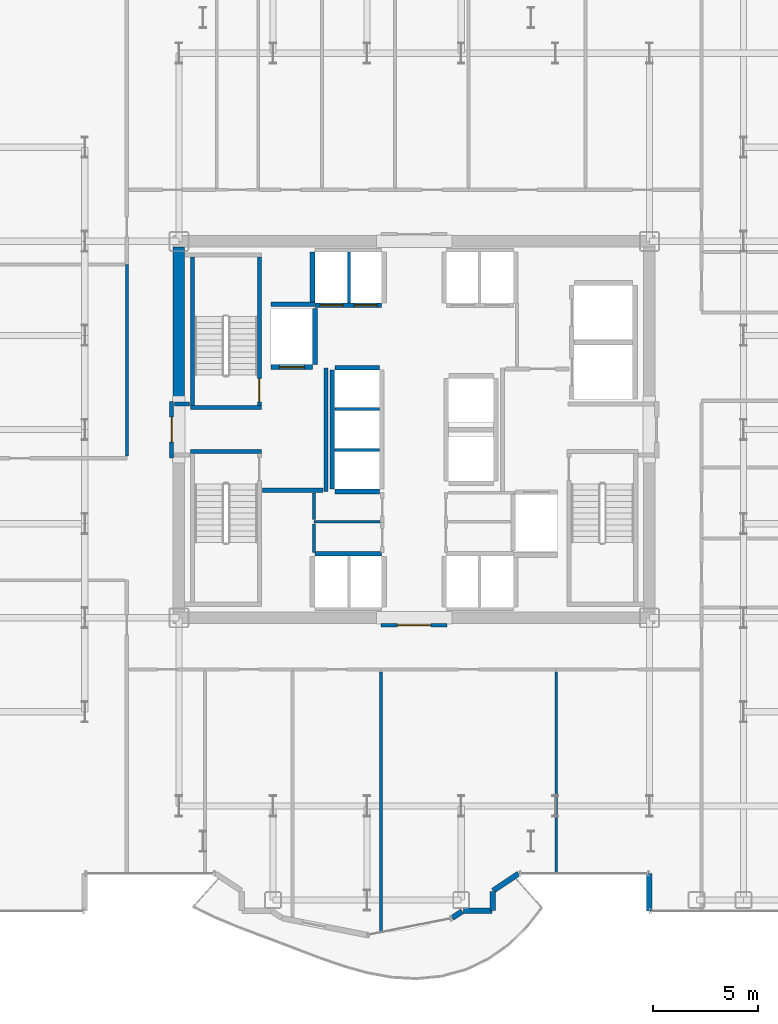
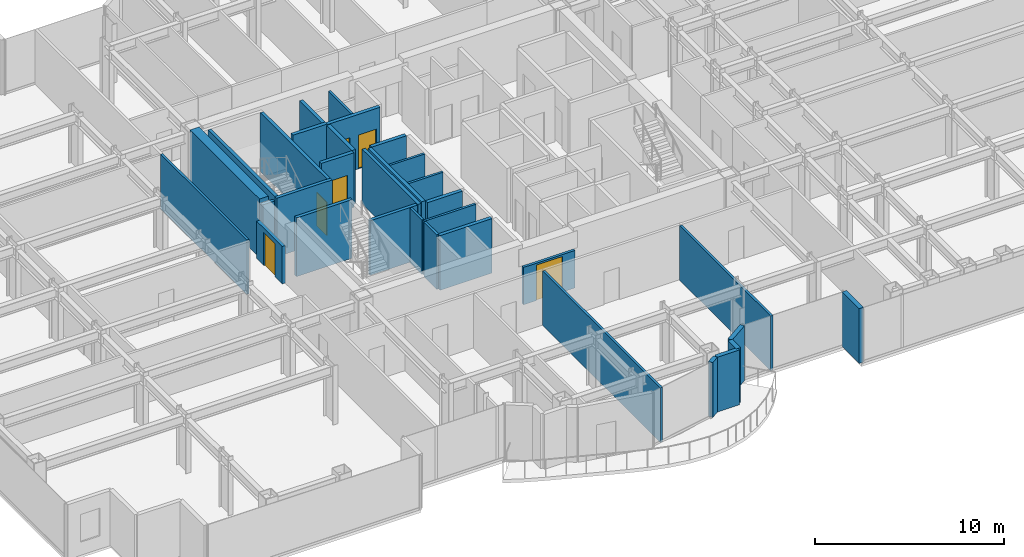
# One storey, part 23 of 29: 33 walls, 6 doors, 6 openings.
"""IFC4 building model written with IfcOpenShell, lengths in metres."""

from ifc_helpers import new_model, si_unit, direction, frame, frame_2d, origin, place, context, subcontext, project, spatial, rectangle, extrude, source, transform, mapped, material, layer, layer_set, type_object, element, fill, save


model = new_model("IFC4")

# Units and contexts
model_context = context("Model", 3, precision=1e-05, world=origin(), true_north=direction((0.0, 1.0)))
body_context = subcontext(model_context, "Body", "Model", "MODEL_VIEW")
ifc_project = project(units=[si_unit("LENGTHUNIT", "METRE"), si_unit("AREAUNIT", "SQUARE_METRE"), si_unit("VOLUMEUNIT", "CUBIC_METRE"), si_unit("PLANEANGLEUNIT", "RADIAN"), si_unit("MASSUNIT", "GRAM", prefix="KILO")], contexts=[model_context])

# Site, building, storey
site_placement = place(None, origin())
site = spatial("IfcSite", under=ifc_project, at=site_placement, CompositionType="ELEMENT")
building_placement = place(site_placement, origin())
building = spatial("IfcBuilding", under=site, at=building_placement, Name="Nefas-Gora Pilgrimage Tower", CompositionType="ELEMENT")
storey_placement = place(building_placement, frame((0.0, 0.0, 136.39990234375)))
storey = spatial("IfcBuildingStorey", under=building, at=storey_placement, Name="L33", CompositionType="ELEMENT", Elevation=136.39990234375)

# Walls
ifc_material_1 = material(Name="Concrete C60/75", Category="concrete")
ifc_layer_1 = layer(ifc_material_1, 0.550048828125)
ifc_layer_set_1 = layer_set([ifc_layer_1], Name="Concrete C60/75")
wall_type_1 = type_object("IfcWallType", Name="SW-CORE-550", PredefinedType="SHEAR", material=ifc_layer_set_1)
shared_shape_1 = source(origin(), body_context, "Body", "SweptSolid", [
    extrude(rectangle(XDim=7.375, YDim=0.550048828125, at=frame_2d((3.6875, 0.0))), origin(), (0.0, 0.0, 1.0), 3.800048828125),
])
wall_1_placement = place(storey_placement, frame((-11.25, 1.35009765625, 0.0), z_axis=(0.0, 0.0, 1.0), x_axis=(0.0, 1.0, 0.0)))
element("IfcWall", 1, at=wall_1_placement, inside=storey, type_object=wall_type_1, Name="L33 Core Shear Wall W-North", PredefinedType="SHEAR", context=body_context, shape_type="MappedRepresentation", body=[
    mapped(shared_shape_1, transform((0.0, 0.0, 0.0), x_axis=(1.0, 0.0, 0.0), y_axis=(0.0, 1.0, 0.0), z_axis=(0.0, 0.0, 1.0), scale=1.0)),
])
ifc_material_2 = material(Name="Precast concrete C40/50", Category="concrete")
ifc_layer_2 = layer(ifc_material_2, 0.260009765625)
ifc_layer_set_2 = layer_set([ifc_layer_2], Name="Precast concrete C40/50")
wall_type_2 = type_object("IfcWallType", Name="EW-PORTAL-260", PredefinedType="SOLIDWALL", material=ifc_layer_set_2)
shared_shape_2 = source(origin(), body_context, "Body", "SweptSolid", [
    extrude(rectangle(XDim=1.800048828125, YDim=0.260009765625, at=frame_2d((0.89990234375, 0.0))), origin(), (0.0, 0.0, 1.0), 3.550048828125),
])
wall_2_placement = place(storey_placement, frame((11.25, -21.219970703125, 0.0), z_axis=(0.0, 0.0, 1.0), x_axis=(0.0, -1.0, 0.0)))
element("IfcWall", 2, at=wall_2_placement, inside=storey, type_object=wall_type_2, Name="L33 Lobe Shoulder Precast Spandrel Pier 5", PredefinedType="SOLIDWALL", context=body_context, shape_type="MappedRepresentation", body=[
    mapped(shared_shape_2, transform((0.0, 0.0, 0.0), x_axis=(1.0, 0.0, 0.0), y_axis=(0.0, 1.0, 0.0), z_axis=(0.0, 0.0, 1.0), scale=1.0)),
])
shared_shape_3 = source(origin(), body_context, "Body", "SweptSolid", [
    extrude(rectangle(XDim=1.468994140625, YDim=0.260009765625, at=frame_2d((0.734375, 0.0))), origin(), (0.0, 0.0, 1.0), 3.550048828125),
])
wall_3_placement = place(storey_placement, frame((3.773193359375, -22.0517578125, 0.0), z_axis=(0.0, 0.0, 1.0), x_axis=(0.831461760506, 0.555581983884, 0.0)))
element("IfcWall", 3, at=wall_3_placement, inside=storey, type_object=wall_type_2, Name="L33 Lobe Shoulder Precast Spandrel Pier 42", PredefinedType="SOLIDWALL", context=body_context, shape_type="MappedRepresentation", body=[
    mapped(shared_shape_3, transform((0.0, 0.0, 0.0), x_axis=(1.0, 0.0, 0.0), y_axis=(0.0, 1.0, 0.0), z_axis=(0.0, 0.0, 1.0), scale=1.0)),
])
shared_shape_4 = source(origin(), body_context, "Body", "SweptSolid", [
    extrude(rectangle(XDim=0.896728515625, YDim=0.260009765625, at=frame_2d((0.4482421875, 0.0))), origin(), (0.0, 0.0, 1.0), 3.550048828125),
])
wall_4_placement = place(storey_placement, frame((3.75, -22.991943359375, 0.0), z_axis=(0.0, 0.0, 1.0), x_axis=(0.0, 1.0, 0.0)))
element("IfcWall", 4, at=wall_4_placement, inside=storey, type_object=wall_type_2, Name="L33 Lobe Shoulder Precast Spandrel Pier 41", PredefinedType="SOLIDWALL", context=body_context, shape_type="MappedRepresentation", body=[
    mapped(shared_shape_4, transform((0.0, 0.0, 0.0), x_axis=(1.0, 0.0, 0.0), y_axis=(0.0, 1.0, 0.0), z_axis=(0.0, 0.0, 1.0), scale=1.0)),
])
shared_shape_5 = source(origin(), body_context, "Body", "SweptSolid", [
    extrude(rectangle(XDim=1.369873046875, YDim=0.260009765625, at=frame_2d((0.68505859375, 0.0))), origin(), (0.0, 0.0, 1.0), 3.550048828125),
])
wall_5_placement = place(storey_placement, frame((2.35205078125, -23.02001953125, 0.0), z_axis=(0.0, 0.0, 1.0), x_axis=(1.0, 0.0, 0.0)))
element("IfcWall", 5, at=wall_5_placement, inside=storey, type_object=wall_type_2, Name="L33 Lobe Shoulder Precast Spandrel Pier 40", PredefinedType="SOLIDWALL", context=body_context, shape_type="MappedRepresentation", body=[
    mapped(shared_shape_5, transform((0.0, 0.0, 0.0), x_axis=(1.0, 0.0, 0.0), y_axis=(0.0, 1.0, 0.0), z_axis=(0.0, 0.0, 1.0), scale=1.0)),
])
shared_shape_6 = source(origin(), body_context, "Body", "SweptSolid", [
    extrude(rectangle(XDim=0.5654296875, YDim=0.260009765625, at=frame_2d((0.28271484375, 0.0))), origin(), (0.0, 0.0, 1.0), 3.550048828125),
])
wall_6_placement = place(storey_placement, frame((1.83056640625, -23.349609375, 0.0), z_axis=(0.0, 0.0, 1.0), x_axis=(0.831651492666, 0.555297933317, 0.0)))
element("IfcWall", 6, at=wall_6_placement, inside=storey, type_object=wall_type_2, Name="L33 Lobe Shoulder Precast Spandrel Pier 39", PredefinedType="SOLIDWALL", context=body_context, shape_type="MappedRepresentation", body=[
    mapped(shared_shape_6, transform((0.0, 0.0, 0.0), x_axis=(1.0, 0.0, 0.0), y_axis=(0.0, 1.0, 0.0), z_axis=(0.0, 0.0, 1.0), scale=1.0)),
])
ifc_material_3 = material(Name="Concrete C45/55", Category="concrete")
ifc_layer_3 = layer(ifc_material_3, 0.199951171875)
ifc_layer_set_3 = layer_set([ifc_layer_3], Name="Concrete C45/55")
wall_type_3 = type_object("IfcWallType", Name="IW-STAIR-200", PredefinedType="SOLIDWALL", material=ifc_layer_set_3)
shared_shape_7 = source(origin(), body_context, "Body", "SweptSolid", [
    extrude(rectangle(XDim=3.39990234375, YDim=0.199951171875, at=frame_2d((1.699951171875, 0.0))), origin(), (0.0, 0.0, 1.0), 3.800048828125),
])
for number, where, z_axis, x_axis, name in (
    (7, (-7.300048828125, 1.050048828125, 0.0), (0.0, 0.0, 1.0), (-1.0, 0.0, 0.0), "L33 Stairwell Shear Wall ST-01-near"),
    (8, (-10.699951171875, -1.050048828125, 0.0), (0.0, 0.0, 1.0), (1.0, 0.0, 0.0), "L33 Stairwell Shear Wall ST-03-near"),
):
    element("IfcWall", number, at=place(storey_placement, frame(where, z_axis=z_axis, x_axis=x_axis)), inside=storey, type_object=wall_type_3, Name=name, PredefinedType="SOLIDWALL", context=body_context, shape_type="MappedRepresentation", body=[
        mapped(shared_shape_7, transform((0.0, 0.0, 0.0), x_axis=(1.0, 0.0, 0.0), y_axis=(0.0, 1.0, 0.0), z_axis=(0.0, 0.0, 1.0), scale=1.0)),
    ])

# Wall, opening, door
shared_shape_8 = source(origin(), body_context, "Body", "SweptSolid", [
    extrude(rectangle(XDim=7.10009765625, YDim=0.199951171875, at=frame_2d((3.550048828125, 0.0))), origin(), (0.0, 0.0, 1.0), 3.800048828125),
])
wall_7_placement = place(storey_placement, frame((-7.39990234375, 1.14990234375, 0.0), z_axis=(0.0, 0.0, 1.0), x_axis=(0.0, 1.0, 0.0)))
wall_7 = element("IfcWall", 9, at=wall_7_placement, inside=storey, type_object=wall_type_3, Name="L33 Stairwell Shear Wall ST-01-left", PredefinedType="SOLIDWALL", context=body_context, shape_type="MappedRepresentation", body=[
    mapped(shared_shape_8, transform((0.0, 0.0, 0.0), x_axis=(1.0, 0.0, 0.0), y_axis=(0.0, 1.0, 0.0), z_axis=(0.0, 0.0, 1.0), scale=1.0)),
])
opening_1_placement = place(wall_7_placement, frame((0.179931640625, 0.0, 0.0)))
opening_1 = element("IfcOpeningElement", 10, at=opening_1_placement, cuts=wall_7, Name="Opening ID-ST1", PredefinedType="OPENING", context=body_context, shape_type="SweptSolid", body=[
    extrude(rectangle(XDim=1.10009765625, YDim=2.14990234375, at=frame_2d((0.550048828125, 1.074951171875))), frame((0.0, 0.10986328125, 0.0), z_axis=(0.0, -1.0, 0.0), x_axis=(1.0, 0.0, 0.0)), (0.0, 0.0, 1.0), 0.219970703125),
])
ifc_material_4 = material(Name="Painted galvanised steel fire stair door", Category="steel")
door_type_1 = type_object("IfcDoorType", Name="DR-INT-STAIR-1100", OperationType="NOTDEFINED", PredefinedType="DOOR", material=ifc_material_4)
shared_shape_9 = source(origin(), body_context, "Body", "SweptSolid", [
    extrude(rectangle(XDim=1.10009765625, YDim=2.14990234375, at=frame_2d((0.550048828125, 1.074951171875))), frame((0.0, 0.02490234375, 0.0), z_axis=(0.0, -1.0, 0.0), x_axis=(1.0, 0.0, 0.0)), (0.0, 0.0, 1.0), 0.050048828125),
])
door_1_placement = place(opening_1_placement, origin())
door_1 = element("IfcDoor", 11, at=door_1_placement, inside=storey, type_object=door_type_1, Name="L33 Protected Exit Stair Door ST-01", OperationType="SINGLE_SWING_LEFT", OverallHeight=2.14990234375, OverallWidth=1.10009765625, PredefinedType="DOOR", context=body_context, shape_type="MappedRepresentation", body=[
    mapped(shared_shape_9, transform((0.0, 0.0, 0.0), x_axis=(1.0, 0.0, 0.0), y_axis=(0.0, 1.0, 0.0), z_axis=(0.0, 0.0, 1.0), scale=1.0)),
])
fill(opening_1, door_1)

# Wall
wall_8_placement = place(storey_placement, frame((-10.60009765625, 1.14990234375, 0.0), z_axis=(0.0, 0.0, 1.0), x_axis=(0.0, 1.0, 0.0)))
element("IfcWall", 12, at=wall_8_placement, inside=storey, type_object=wall_type_3, Name="L33 Stairwell Shear Wall ST-01-right", PredefinedType="SOLIDWALL", context=body_context, shape_type="MappedRepresentation", body=[
    mapped(shared_shape_8, transform((0.0, 0.0, 0.0), x_axis=(1.0, 0.0, 0.0), y_axis=(0.0, 1.0, 0.0), z_axis=(0.0, 0.0, 1.0), scale=1.0)),
])

# Wall, opening, door
ifc_material_5 = material(Name="Concrete C40/50", Category="concrete")
ifc_layer_4 = layer(ifc_material_5, 0.219970703125)
ifc_layer_set_4 = layer_set([ifc_layer_4], Name="Concrete C40/50")
wall_type_4 = type_object("IfcWallType", Name="IW-SHAFT-220", PredefinedType="SOLIDWALL", material=ifc_layer_set_4)
shared_shape_10 = source(origin(), body_context, "Body", "SweptSolid", [
    extrude(rectangle(XDim=2.0, YDim=0.219970703125, at=frame_2d((1.0, 0.0))), origin(), (0.0, 0.0, 1.0), 3.53515625),
])
wall_9_placement = place(storey_placement, frame((-6.85009765625, 2.989990234375, 0.0), z_axis=(0.0, 0.0, 1.0), x_axis=(1.0, 0.0, 0.0)))
wall_9 = element("IfcWall", 13, at=wall_9_placement, inside=storey, type_object=wall_type_4, Name="L33 Hoistway Wall FFL-01-S", PredefinedType="SOLIDWALL", context=body_context, shape_type="MappedRepresentation", body=[
    mapped(shared_shape_10, transform((0.0, 0.0, 0.0), x_axis=(1.0, 0.0, 0.0), y_axis=(0.0, 1.0, 0.0), z_axis=(0.0, 0.0, 1.0), scale=1.0)),
])
opening_2_placement = place(wall_9_placement, frame((0.39990234375, 0.0, 0.0)))
opening_2 = element("IfcOpeningElement", 14, at=opening_2_placement, cuts=wall_9, Name="Opening LD-FF", PredefinedType="OPENING", context=body_context, shape_type="SweptSolid", body=[
    extrude(rectangle(XDim=1.199951171875, YDim=2.199951171875, at=frame_2d((0.60009765625, 1.10009765625))), frame((0.0, 0.119873046875, 0.0), z_axis=(0.0, -1.0, 0.0), x_axis=(1.0, 0.0, 0.0)), (0.0, 0.0, 1.0), 0.239990234375),
])
ifc_material_6 = material(Name="Fire-service sliding lift landing door")
door_type_2 = type_object("IfcDoorType", Name="DR-LIFT-FSAE-1200", OperationType="SLIDING_TO_LEFT", PredefinedType="DOOR", material=ifc_material_6)
shared_shape_11 = source(origin(), body_context, "Body", "SweptSolid", [
    extrude(rectangle(XDim=1.199951171875, YDim=2.199951171875, at=frame_2d((0.60009765625, 1.10009765625))), frame((0.0, 0.02490234375, 0.0), z_axis=(0.0, -1.0, 0.0), x_axis=(1.0, 0.0, 0.0)), (0.0, 0.0, 1.0), 0.050048828125),
])
door_2_placement = place(opening_2_placement, origin())
door_2 = element("IfcDoor", 15, at=door_2_placement, inside=storey, type_object=door_type_2, Name="L33 Sliding Lift Landing Door FFL-01", OperationType="SLIDING_TO_LEFT", OverallHeight=2.199951171875, OverallWidth=1.199951171875, PredefinedType="DOOR", context=body_context, shape_type="MappedRepresentation", body=[
    mapped(shared_shape_11, transform((0.0, 0.0, 0.0), x_axis=(1.0, 0.0, 0.0), y_axis=(0.0, 1.0, 0.0), z_axis=(0.0, 0.0, 1.0), scale=1.0)),
])
fill(opening_2, door_2)

# Wall
shared_shape_12 = source(origin(), body_context, "Body", "SweptSolid", [
    extrude(rectangle(XDim=2.679931640625, YDim=0.219970703125, at=frame_2d((1.33984375, 0.0))), origin(), (0.0, 0.0, 1.0), 3.53515625),
])
wall_10_placement = place(storey_placement, frame((-4.739990234375, 3.110107421875, 0.0), z_axis=(0.0, 0.0, 1.0), x_axis=(0.0, 1.0, 0.0)))
element("IfcWall", 16, at=wall_10_placement, inside=storey, type_object=wall_type_4, Name="L33 Hoistway Wall FFL-01-E", PredefinedType="SOLIDWALL", context=body_context, shape_type="MappedRepresentation", body=[
    mapped(shared_shape_12, transform((0.0, 0.0, 0.0), x_axis=(1.0, 0.0, 0.0), y_axis=(0.0, 1.0, 0.0), z_axis=(0.0, 0.0, 1.0), scale=1.0)),
])

# Wall, openings, doors
shared_shape_13 = source(origin(), body_context, "Body", "SweptSolid", [
    extrude(rectangle(XDim=3.199951171875, YDim=0.219970703125, at=frame_2d((1.60009765625, 0.0))), origin(), (0.0, 0.0, 1.0), 3.53515625),
])
wall_11_placement = place(storey_placement, frame((-4.75, 5.93994140625, 0.0), z_axis=(0.0, 0.0, 1.0), x_axis=(1.0, 0.0, 0.0)))
wall_11 = element("IfcWall", 17, at=wall_11_placement, inside=storey, type_object=wall_type_4, Name="L33 Hoistway Wall PL1-W-S", PredefinedType="SOLIDWALL", context=body_context, shape_type="MappedRepresentation", body=[
    mapped(shared_shape_13, transform((0.0, 0.0, 0.0), x_axis=(1.0, 0.0, 0.0), y_axis=(0.0, 1.0, 0.0), z_axis=(0.0, 0.0, 1.0), scale=1.0)),
])
opening_3_placement = place(wall_11_placement, frame((0.25, 0.0, 0.0)))
opening_3 = element("IfcOpeningElement", 18, at=opening_3_placement, cuts=wall_11, Name="Opening LD-01", PredefinedType="OPENING", context=body_context, shape_type="SweptSolid", body=[
    extrude(rectangle(XDim=1.10009765625, YDim=2.199951171875, at=frame_2d((0.550048828125, 1.10009765625))), frame((0.0, 0.119873046875, 0.0), z_axis=(0.0, -1.0, 0.0), x_axis=(1.0, 0.0, 0.0)), (0.0, 0.0, 1.0), 0.239990234375),
])
opening_4_placement = place(wall_11_placement, frame((1.875, 0.0, 0.0)))
opening_4 = element("IfcOpeningElement", 19, at=opening_4_placement, cuts=wall_11, Name="Opening LD-01", PredefinedType="OPENING", context=body_context, shape_type="SweptSolid", body=[
    extrude(rectangle(XDim=1.10009765625, YDim=2.199951171875, at=frame_2d((0.550048828125, 1.10009765625))), frame((0.0, 0.119873046875, 0.0), z_axis=(0.0, -1.0, 0.0), x_axis=(1.0, 0.0, 0.0)), (0.0, 0.0, 1.0), 0.239990234375),
])
ifc_material_7 = material(Name="Brushed stainless sliding lift landing door")
door_type_3 = type_object("IfcDoorType", Name="DR-LIFT-PASS-1100", OperationType="DOUBLE_DOOR_SLIDING", PredefinedType="DOOR", material=ifc_material_7)
shared_shape_14 = source(origin(), body_context, "Body", "SweptSolid", [
    extrude(rectangle(XDim=1.10009765625, YDim=2.199951171875, at=frame_2d((0.550048828125, 1.10009765625))), frame((0.0, 0.02490234375, 0.0), z_axis=(0.0, -1.0, 0.0), x_axis=(1.0, 0.0, 0.0)), (0.0, 0.0, 1.0), 0.050048828125),
])
door_3_placement = place(opening_3_placement, origin())
door_3 = element("IfcDoor", 20, at=door_3_placement, inside=storey, type_object=door_type_3, Name="L33 Sliding Lift Landing Door PL1-01", OperationType="DOUBLE_DOOR_SLIDING", OverallHeight=2.199951171875, OverallWidth=1.10009765625, PredefinedType="DOOR", context=body_context, shape_type="MappedRepresentation", body=[
    mapped(shared_shape_14, transform((0.0, 0.0, 0.0), x_axis=(1.0, 0.0, 0.0), y_axis=(0.0, 1.0, 0.0), z_axis=(0.0, 0.0, 1.0), scale=1.0)),
])
fill(opening_3, door_3)
door_4_placement = place(opening_4_placement, origin())
door_4 = element("IfcDoor", 21, at=door_4_placement, inside=storey, type_object=door_type_3, Name="L33 Sliding Lift Landing Door PL1-02", OperationType="DOUBLE_DOOR_SLIDING", OverallHeight=2.199951171875, OverallWidth=1.10009765625, PredefinedType="DOOR", context=body_context, shape_type="MappedRepresentation", body=[
    mapped(shared_shape_14, transform((0.0, 0.0, 0.0), x_axis=(1.0, 0.0, 0.0), y_axis=(0.0, 1.0, 0.0), z_axis=(0.0, 0.0, 1.0), scale=1.0)),
])
fill(opening_4, door_4)

# Walls
wall_12_placement = place(storey_placement, frame((-1.550048828125, -5.93994140625, 0.0), z_axis=(0.0, 0.0, 1.0), x_axis=(-1.0, 0.0, 0.0)))
element("IfcWall", 22, at=wall_12_placement, inside=storey, type_object=wall_type_4, Name="L33 Hoistway Wall PL2-W-N", PredefinedType="SOLIDWALL", context=body_context, shape_type="MappedRepresentation", body=[
    mapped(shared_shape_13, transform((0.0, 0.0, 0.0), x_axis=(1.0, 0.0, 0.0), y_axis=(0.0, 1.0, 0.0), z_axis=(0.0, 0.0, 1.0), scale=1.0)),
])
shared_shape_15 = source(origin(), body_context, "Body", "SweptSolid", [
    extrude(rectangle(XDim=2.429931640625, YDim=0.219970703125, at=frame_2d((1.21484375, 0.0))), origin(), (0.0, 0.0, 1.0), 3.53515625),
])
wall_13_placement = place(storey_placement, frame((-4.860107421875, 8.489990234375, 0.0), z_axis=(0.0, 0.0, 1.0), x_axis=(0.0, -1.0, 0.0)))
element("IfcWall", 23, at=wall_13_placement, inside=storey, type_object=wall_type_4, Name="L33 Hoistway Wall PL1-W-W", PredefinedType="SOLIDWALL", context=body_context, shape_type="MappedRepresentation", body=[
    mapped(shared_shape_15, transform((0.0, 0.0, 0.0), x_axis=(1.0, 0.0, 0.0), y_axis=(0.0, 1.0, 0.0), z_axis=(0.0, 0.0, 1.0), scale=1.0)),
])
ifc_material_8 = material(Name="Gypsum twin-stud partition")
ifc_layer_5 = layer(ifc_material_8, 0.139892578125)
ifc_layer_set_5 = layer_set([ifc_layer_5], Name="Gypsum twin-stud partition")
wall_type_5 = type_object("IfcWallType", Name="IW-UNIT-140", PredefinedType="PARTITIONING", material=ifc_layer_set_5)
shared_shape_16 = source(origin(), body_context, "Body", "SweptSolid", [
    extrude(rectangle(XDim=2.429931640625, YDim=0.139892578125, at=frame_2d((1.21484375, 0.0))), origin(), (0.0, 0.0, 1.0), 3.53515625),
])
wall_14_placement = place(storey_placement, frame((-3.125, 6.06005859375, 0.0), z_axis=(0.0, 0.0, 1.0), x_axis=(0.0, 1.0, 0.0)))
element("IfcWall", 24, at=wall_14_placement, inside=storey, type_object=wall_type_5, Name="L33 Hoistway Wall PL1-W-DIV", PredefinedType="PARTITIONING", context=body_context, shape_type="MappedRepresentation", body=[
    mapped(shared_shape_16, transform((0.0, 0.0, 0.0), x_axis=(1.0, 0.0, 0.0), y_axis=(0.0, 1.0, 0.0), z_axis=(0.0, 0.0, 1.0), scale=1.0)),
])
shared_shape_17 = source(origin(), body_context, "Body", "SweptSolid", [
    extrude(rectangle(XDim=5.7001953125, YDim=0.219970703125, at=frame_2d((2.85009765625, 0.0))), origin(), (0.0, 0.0, 1.0), 3.53515625),
])
wall_15_placement = place(storey_placement, frame((-3.909912109375, 2.85009765625, 0.0), z_axis=(0.0, 0.0, 1.0), x_axis=(0.0, -1.0, 0.0)))
element("IfcWall", 25, at=wall_15_placement, inside=storey, type_object=wall_type_4, Name="L33 Hoistway Wall PL3-01-03-W", PredefinedType="SOLIDWALL", context=body_context, shape_type="MappedRepresentation", body=[
    mapped(shared_shape_17, transform((0.0, 0.0, 0.0), x_axis=(1.0, 0.0, 0.0), y_axis=(0.0, 1.0, 0.0), z_axis=(0.0, 0.0, 1.0), scale=1.0)),
])
shared_shape_18 = source(origin(), body_context, "Body", "SweptSolid", [
    extrude(rectangle(XDim=2.130126953125, YDim=0.219970703125, at=frame_2d((1.06494140625, 0.0))), origin(), (0.0, 0.0, 1.0), 3.53515625),
])
for number, where, z_axis, x_axis, name in (
    (26, (-3.7900390625, -2.9599609375, 0.0), (0.0, 0.0, 1.0), (1.0, 0.0, 0.0), "L33 Hoistway Wall PL3-01-S"),
    (27, (-1.659912109375, 2.9599609375, 0.0), (0.0, 0.0, 1.0), (-1.0, 0.0, 0.0), "L33 Hoistway Wall PL3-03-N"),
):
    element("IfcWall", number, at=place(storey_placement, frame(where, z_axis=z_axis, x_axis=x_axis)), inside=storey, type_object=wall_type_4, Name=name, PredefinedType="SOLIDWALL", context=body_context, shape_type="MappedRepresentation", body=[
        mapped(shared_shape_18, transform((0.0, 0.0, 0.0), x_axis=(1.0, 0.0, 0.0), y_axis=(0.0, 1.0, 0.0), z_axis=(0.0, 0.0, 1.0), scale=1.0)),
    ])
shared_shape_19 = source(origin(), body_context, "Body", "SweptSolid", [
    extrude(rectangle(XDim=2.130126953125, YDim=0.139892578125, at=frame_2d((1.06494140625, 0.0))), origin(), (0.0, 0.0, 1.0), 3.53515625),
])
for number, where, z_axis, x_axis, name in (
    (28, (-3.7900390625, -0.97509765625, 0.0), (0.0, 0.0, 1.0), (1.0, 0.0, 0.0), "L33 Hoistway Wall PL3-01-02-DIV"),
    (29, (-3.7900390625, 0.97509765625, 0.0), (0.0, 0.0, 1.0), (1.0, 0.0, 0.0), "L33 Hoistway Wall PL3-02-03-DIV"),
):
    element("IfcWall", number, at=place(storey_placement, frame(where, z_axis=z_axis, x_axis=x_axis)), inside=storey, type_object=wall_type_5, Name=name, PredefinedType="PARTITIONING", context=body_context, shape_type="MappedRepresentation", body=[
        mapped(shared_shape_19, transform((0.0, 0.0, 0.0), x_axis=(1.0, 0.0, 0.0), y_axis=(0.0, 1.0, 0.0), z_axis=(0.0, 0.0, 1.0), scale=1.0)),
    ])

# Wall, opening, door
ifc_material_9 = material(Name="Gypsum fire-rated shaftwall")
ifc_layer_6 = layer(ifc_material_9, 0.199951171875)
ifc_layer_set_6 = layer_set([ifc_layer_6], Name="Gypsum fire-rated shaftwall")
wall_type_6 = type_object("IfcWallType", Name="IW-FFLOB-200", PredefinedType="PARTITIONING", material=ifc_layer_set_6)
shared_shape_20 = source(origin(), body_context, "Body", "SweptSolid", [
    extrude(rectangle(XDim=2.7001953125, YDim=0.199951171875, at=frame_2d((1.35009765625, 0.0))), origin(), (0.0, 0.0, 1.0), 2.425048828125),
])
wall_16_placement = place(storey_placement, frame((-11.60009765625, -1.35009765625, 0.0), z_axis=(0.0, 0.0, 1.0), x_axis=(0.0, 1.0, 0.0)))
wall_16 = element("IfcWall", 30, at=wall_16_placement, inside=storey, type_object=wall_type_6, Name="L33 FF Lobby West Portal Wall 3", PredefinedType="PARTITIONING", context=body_context, shape_type="MappedRepresentation", body=[
    mapped(shared_shape_20, transform((0.0, 0.0, 0.0), x_axis=(1.0, 0.0, 0.0), y_axis=(0.0, 1.0, 0.0), z_axis=(0.0, 0.0, 1.0), scale=1.0)),
])
opening_5_placement = place(wall_16_placement, frame((0.75, 0.0, 0.0)))
opening_5 = element("IfcOpeningElement", 31, at=opening_5_placement, cuts=wall_16, Name="Opening ID-FF1", PredefinedType="OPENING", context=body_context, shape_type="SweptSolid", body=[
    extrude(rectangle(XDim=1.199951171875, YDim=2.14990234375, at=frame_2d((0.60009765625, 1.074951171875))), frame((0.0, 0.10986328125, 0.0), z_axis=(0.0, -1.0, 0.0), x_axis=(1.0, 0.0, 0.0)), (0.0, 0.0, 1.0), 0.219970703125),
])
ifc_material_10 = material(Name="Smoke-sealed steel firefighting lobby door", Category="steel")
door_type_4 = type_object("IfcDoorType", Name="DR-INT-FFLOB-1200", OperationType="NOTDEFINED", PredefinedType="DOOR", material=ifc_material_10)
shared_shape_21 = source(origin(), body_context, "Body", "SweptSolid", [
    extrude(rectangle(XDim=1.199951171875, YDim=2.14990234375, at=frame_2d((0.60009765625, 1.074951171875))), frame((0.0, 0.02490234375, 0.0), z_axis=(0.0, -1.0, 0.0), x_axis=(1.0, 0.0, 0.0)), (0.0, 0.0, 1.0), 0.050048828125),
])
door_5_placement = place(opening_5_placement, origin())
door_5 = element("IfcDoor", 32, at=door_5_placement, inside=storey, type_object=door_type_4, Name="L33 FF Lobby West Portal Door 1", OperationType="SINGLE_SWING_LEFT", OverallHeight=2.14990234375, OverallWidth=1.199951171875, PredefinedType="DOOR", context=body_context, shape_type="MappedRepresentation", body=[
    mapped(shared_shape_21, transform((0.0, 0.0, 0.0), x_axis=(1.0, 0.0, 0.0), y_axis=(0.0, 1.0, 0.0), z_axis=(0.0, 0.0, 1.0), scale=1.0)),
])
fill(opening_5, door_5)

# Walls
shared_shape_22 = source(origin(), body_context, "Body", "SweptSolid", [
    extrude(rectangle(XDim=2.09521484375, YDim=0.219970703125, at=frame_2d((1.047607421875, 0.0))), origin(), (0.0, 0.0, 1.0), 3.53515625),
])
wall_17_placement = place(storey_placement, frame((-6.85009765625, 6.0, 0.0), z_axis=(0.0, 0.0, 1.0), x_axis=(1.0, 0.0, 0.0)))
element("IfcWall", 33, at=wall_17_placement, inside=storey, type_object=wall_type_4, Name="L33 Riser Shaft Wall 1", PredefinedType="SOLIDWALL", context=body_context, shape_type="MappedRepresentation", body=[
    mapped(shared_shape_22, transform((0.0, 0.0, 0.0), x_axis=(1.0, 0.0, 0.0), y_axis=(0.0, 1.0, 0.0), z_axis=(0.0, 0.0, 1.0), scale=1.0)),
])
shared_shape_23 = source(origin(), body_context, "Body", "SweptSolid", [
    extrude(rectangle(XDim=5.89990234375, YDim=0.199951171875, at=frame_2d((2.949951171875, 0.0))), origin(), (0.0, 0.0, 1.0), 3.53515625),
])
wall_18_placement = place(storey_placement, frame((-4.219970703125, -2.949951171875, 0.0), z_axis=(0.0, 0.0, 1.0), x_axis=(0.0, 1.0, 0.0)))
element("IfcWall", 34, at=wall_18_placement, inside=storey, type_object=wall_type_6, Name="L33 FF Lobby West Inner Wall Wall 4", PredefinedType="PARTITIONING", context=body_context, shape_type="MappedRepresentation", body=[
    mapped(shared_shape_23, transform((0.0, 0.0, 0.0), x_axis=(1.0, 0.0, 0.0), y_axis=(0.0, 1.0, 0.0), z_axis=(0.0, 0.0, 1.0), scale=1.0)),
])
shared_shape_24 = source(origin(), body_context, "Body", "SweptSolid", [
    extrude(rectangle(XDim=2.89990234375, YDim=0.199951171875, at=frame_2d((1.449951171875, 0.0))), origin(), (0.0, 0.0, 1.0), 3.53515625),
])
wall_19_placement = place(storey_placement, frame((-7.260009765625, -2.89990234375, 0.0), z_axis=(0.0, 0.0, 1.0), x_axis=(1.0, 0.0, 0.0)))
element("IfcWall", 35, at=wall_19_placement, inside=storey, type_object=wall_type_6, Name="L33 FF Lobby West South Wall Wall 5", PredefinedType="PARTITIONING", context=body_context, shape_type="MappedRepresentation", body=[
    mapped(shared_shape_24, transform((0.0, 0.0, 0.0), x_axis=(1.0, 0.0, 0.0), y_axis=(0.0, 1.0, 0.0), z_axis=(0.0, 0.0, 1.0), scale=1.0)),
])
shared_shape_25 = source(origin(), body_context, "Body", "SweptSolid", [
    extrude(rectangle(XDim=0.719970703125, YDim=0.199951171875, at=frame_2d((0.35986328125, 0.0))), origin(), (0.0, 0.0, 1.0), 3.53515625),
])
wall_20_placement = place(storey_placement, frame((-11.4599609375, 1.219970703125, 0.0), z_axis=(0.0, 0.0, 1.0), x_axis=(1.0, 0.0, 0.0)))
element("IfcWall", 36, at=wall_20_placement, inside=storey, type_object=wall_type_6, Name="L33 FF Lobby West Throat N Wall 6", PredefinedType="PARTITIONING", context=body_context, shape_type="MappedRepresentation", body=[
    mapped(shared_shape_25, transform((0.0, 0.0, 0.0), x_axis=(1.0, 0.0, 0.0), y_axis=(0.0, 1.0, 0.0), z_axis=(0.0, 0.0, 1.0), scale=1.0)),
])
shared_shape_26 = source(origin(), body_context, "Body", "SweptSolid", [
    extrude(rectangle(XDim=3.150146484375, YDim=0.139892578125, at=frame_2d((1.5751953125, 0.0))), origin(), (0.0, 0.0, 1.0), 3.53515625),
])
wall_21_placement = place(storey_placement, frame((-4.7900390625, -4.409912109375, 0.0), z_axis=(0.0, 0.0, 1.0), x_axis=(1.0, 0.0, 0.0)))
element("IfcWall", 37, at=wall_21_placement, inside=storey, type_object=wall_type_5, Name="L33 Housekeeping and Linen Store Partition Wall 17", PredefinedType="PARTITIONING", context=body_context, shape_type="MappedRepresentation", body=[
    mapped(shared_shape_26, transform((0.0, 0.0, 0.0), x_axis=(1.0, 0.0, 0.0), y_axis=(0.0, 1.0, 0.0), z_axis=(0.0, 0.0, 1.0), scale=1.0)),
])
shared_shape_27 = source(origin(), body_context, "Body", "SweptSolid", [
    extrude(rectangle(XDim=1.260009765625, YDim=0.139892578125, at=frame_2d((0.6298828125, 0.0))), origin(), (0.0, 0.0, 1.0), 3.53515625),
])
wall_22_placement = place(storey_placement, frame((-4.780029296875, -4.300048828125, 0.0), z_axis=(0.0, 0.0, 1.0), x_axis=(0.0, 1.0, 0.0)))
element("IfcWall", 38, at=wall_22_placement, inside=storey, type_object=wall_type_5, Name="L33 Housekeeping and Linen Store Partition Wall 18", PredefinedType="PARTITIONING", context=body_context, shape_type="MappedRepresentation", body=[
    mapped(shared_shape_27, transform((0.0, 0.0, 0.0), x_axis=(1.0, 0.0, 0.0), y_axis=(0.0, 1.0, 0.0), z_axis=(0.0, 0.0, 1.0), scale=1.0)),
])
shared_shape_28 = source(origin(), body_context, "Body", "SweptSolid", [
    extrude(rectangle(XDim=1.369873046875, YDim=0.139892578125, at=frame_2d((0.68505859375, 0.0))), origin(), (0.0, 0.0, 1.0), 3.53515625),
])
wall_23_placement = place(storey_placement, frame((-4.780029296875, -5.889892578125, 0.0), z_axis=(0.0, 0.0, 1.0), x_axis=(0.0, 1.0, 0.0)))
element("IfcWall", 39, at=wall_23_placement, inside=storey, type_object=wall_type_5, Name="L33 Guest Self-Service Laundry Room Partition Wall 20", PredefinedType="PARTITIONING", context=body_context, shape_type="MappedRepresentation", body=[
    mapped(shared_shape_28, transform((0.0, 0.0, 0.0), x_axis=(1.0, 0.0, 0.0), y_axis=(0.0, 1.0, 0.0), z_axis=(0.0, 0.0, 1.0), scale=1.0)),
])
shared_shape_29 = source(origin(), body_context, "Body", "SweptSolid", [
    extrude(rectangle(XDim=9.64990234375, YDim=0.139892578125, at=frame_2d((4.824951171875, 0.0))), origin(), (0.0, 0.0, 1.0), 3.53515625),
])
wall_24_placement = place(storey_placement, frame((6.794921875, -21.239990234375, 0.0), z_axis=(0.0, 0.0, 1.0), x_axis=(0.0, 1.0, 0.0)))
element("IfcWall", 40, at=wall_24_placement, inside=storey, type_object=wall_type_5, Name="L33 Pilgrim Contemplative Lounge Partition Wall 63", PredefinedType="PARTITIONING", context=body_context, shape_type="MappedRepresentation", body=[
    mapped(shared_shape_29, transform((0.0, 0.0, 0.0), x_axis=(1.0, 0.0, 0.0), y_axis=(0.0, 1.0, 0.0), z_axis=(0.0, 0.0, 1.0), scale=1.0)),
])

# Wall, opening, door
ifc_material_11 = material(Name="Gypsum acoustic stud partition")
ifc_layer_7 = layer(ifc_material_11, 0.159912109375)
ifc_layer_set_7 = layer_set([ifc_layer_7], Name="Gypsum acoustic stud partition")
wall_type_7 = type_object("IfcWallType", Name="IW-CORR-160", PredefinedType="PARTITIONING", material=ifc_layer_set_7)
shared_shape_30 = source(origin(), body_context, "Body", "SweptSolid", [
    extrude(rectangle(XDim=3.16015625, YDim=0.159912109375, at=frame_2d((1.580078125, 0.0))), origin(), (0.0, 0.0, 1.0), 2.425048828125),
])
wall_25_placement = place(storey_placement, frame((-1.580078125, -9.35009765625, 0.0), z_axis=(0.0, 0.0, 1.0), x_axis=(1.0, 0.0, 0.0)))
wall_25 = element("IfcWall", 41, at=wall_25_placement, inside=storey, type_object=wall_type_7, Name="L33 Central Lift Lobby South Portal Wall 14", PredefinedType="PARTITIONING", context=body_context, shape_type="MappedRepresentation", body=[
    mapped(shared_shape_30, transform((0.0, 0.0, 0.0), x_axis=(1.0, 0.0, 0.0), y_axis=(0.0, 1.0, 0.0), z_axis=(0.0, 0.0, 1.0), scale=1.0)),
])
opening_6_placement = place(wall_25_placement, frame((0.780029296875, 0.0, 0.0)))
opening_6 = element("IfcOpeningElement", 42, at=opening_6_placement, cuts=wall_25, Name="Opening ID-HL1", PredefinedType="OPENING", context=body_context, shape_type="SweptSolid", body=[
    extrude(rectangle(XDim=1.60009765625, YDim=2.300048828125, at=frame_2d((0.800048828125, 1.14990234375))), frame((0.0, 0.08984375, 0.0), z_axis=(0.0, -1.0, 0.0), x_axis=(1.0, 0.0, 0.0)), (0.0, 0.0, 1.0), 0.179931640625),
])
ifc_material_12 = material(Name="Double acoustic timber assembly hall door", Category="wood")
door_type_5 = type_object("IfcDoorType", Name="DR-INT-HALL-1600", OperationType="DOUBLE_DOOR_SINGLE_SWING", PredefinedType="DOOR", material=ifc_material_12)
shared_shape_31 = source(origin(), body_context, "Body", "SweptSolid", [
    extrude(rectangle(XDim=1.60009765625, YDim=2.300048828125, at=frame_2d((0.800048828125, 1.14990234375))), frame((0.0, 0.02490234375, 0.0), z_axis=(0.0, -1.0, 0.0), x_axis=(1.0, 0.0, 0.0)), (0.0, 0.0, 1.0), 0.050048828125),
])
door_6_placement = place(opening_6_placement, origin())
door_6 = element("IfcDoor", 43, at=door_6_placement, inside=storey, type_object=door_type_5, Name="L33 Central Lift Lobby South Portal Door 5", OperationType="DOUBLE_DOOR_SINGLE_SWING", OverallHeight=2.300048828125, OverallWidth=1.60009765625, PredefinedType="DOOR", context=body_context, shape_type="MappedRepresentation", body=[
    mapped(shared_shape_31, transform((0.0, 0.0, 0.0), x_axis=(1.0, 0.0, 0.0), y_axis=(0.0, 1.0, 0.0), z_axis=(0.0, 0.0, 1.0), scale=1.0)),
])
fill(opening_6, door_6)

# Walls
shared_shape_32 = source(origin(), body_context, "Body", "SweptSolid", [
    extrude(rectangle(XDim=9.1474609375, YDim=0.139892578125, at=frame_2d((4.57373046875, 0.0))), origin(), (0.0, 0.0, 1.0), 3.53515625),
])
wall_26_placement = place(storey_placement, frame((-13.739990234375, -1.260009765625, 0.0), z_axis=(0.0, 0.0, 1.0), x_axis=(0.0, 1.0, 0.0)))
element("IfcWall", 44, at=wall_26_placement, inside=storey, type_object=wall_type_5, Name="L33 Pilgrim Devotional Prayer Gallery Partition Wall 33", PredefinedType="PARTITIONING", context=body_context, shape_type="MappedRepresentation", body=[
    mapped(shared_shape_32, transform((0.0, 0.0, 0.0), x_axis=(1.0, 0.0, 0.0), y_axis=(0.0, 1.0, 0.0), z_axis=(0.0, 0.0, 1.0), scale=1.0)),
])
shared_shape_33 = source(origin(), body_context, "Body", "SweptSolid", [
    extrude(rectangle(XDim=12.475341796875, YDim=0.139892578125, at=frame_2d((6.23779296875, 0.0))), origin(), (0.0, 0.0, 1.0), 3.53515625),
])
wall_27_placement = place(storey_placement, frame((-1.590087890625, -24.0654296875, 0.0), z_axis=(0.0, 0.0, 1.0), x_axis=(0.0, 1.0, 0.0)))
element("IfcWall", 45, at=wall_27_placement, inside=storey, type_object=wall_type_5, Name="L33 Pilgrim Contemplative Lounge Partition Wall 62", PredefinedType="PARTITIONING", context=body_context, shape_type="MappedRepresentation", body=[
    mapped(shared_shape_33, transform((0.0, 0.0, 0.0), x_axis=(1.0, 0.0, 0.0), y_axis=(0.0, 1.0, 0.0), z_axis=(0.0, 0.0, 1.0), scale=1.0)),
])

save(model, "model.ifc")
